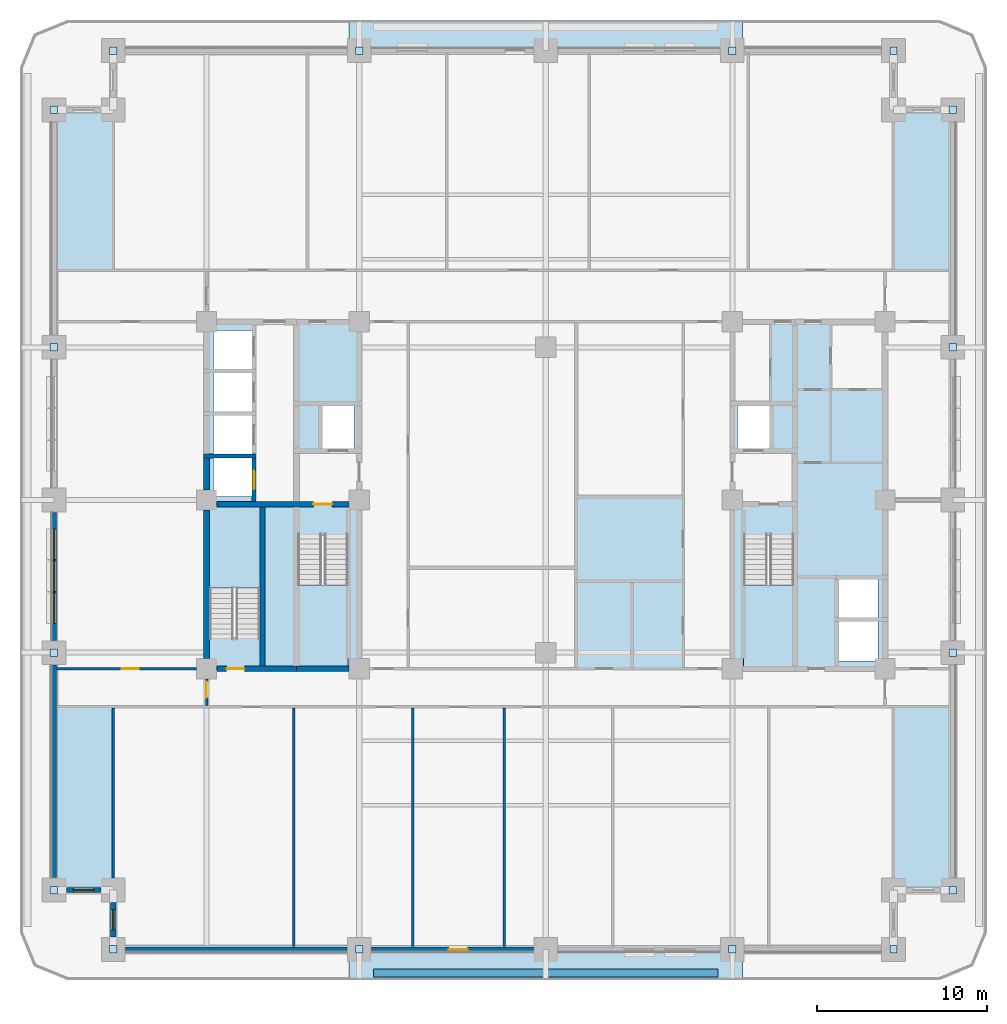
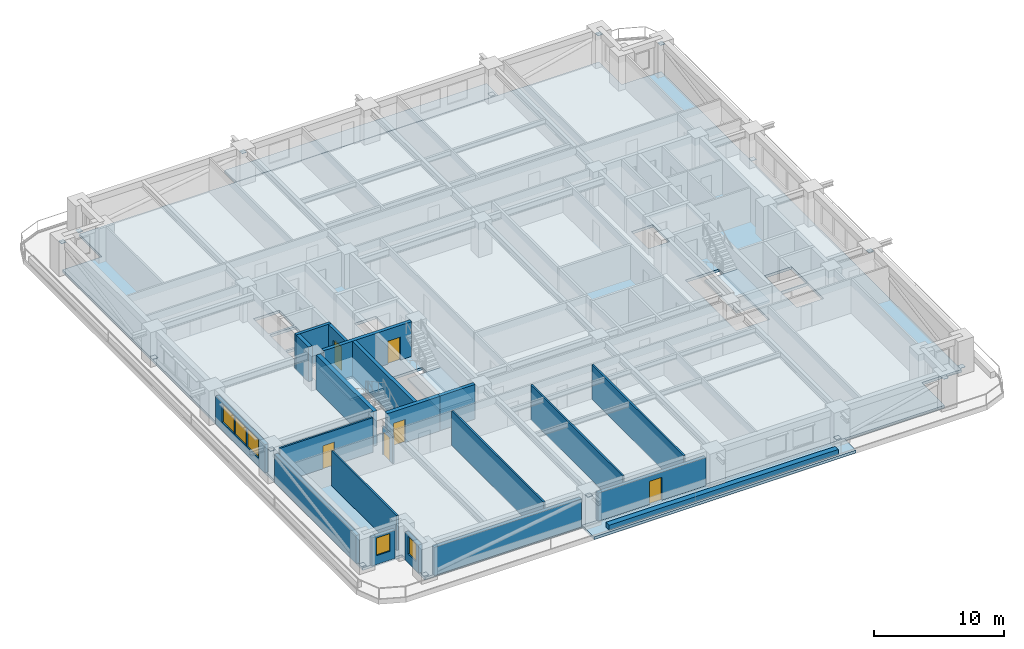
# One storey, part 2 of 16: 21 walls, 16 plates, 6 doors, 6 slabs, 5 windows, 11 openings, 3 elements without a shape of their own.
"""IFC4 building model written with IfcOpenShell, lengths in metres."""

from ifc_helpers import new_model, si_unit, direction, frame, frame_2d, origin, origin_2d, place, context, subcontext, project, spatial, polyline, rectangle, outline, extrude, material, layer, layer_set, type_object, element, fill, aggregate, save


model = new_model("IFC4")

# Units and contexts
model_context = context("Model", 3, precision=1e-05, world=origin(), true_north=direction((0.0, 1.0)))
body_context = subcontext(model_context, "Body", "Model", "MODEL_VIEW")
ifc_project = project(units=[si_unit("LENGTHUNIT", "METRE"), si_unit("AREAUNIT", "SQUARE_METRE"), si_unit("VOLUMEUNIT", "CUBIC_METRE"), si_unit("PLANEANGLEUNIT", "RADIAN"), si_unit("MASSUNIT", "GRAM", prefix="KILO")], contexts=[model_context])

# Site, building, storey
site_placement = place(None, origin())
site = spatial("IfcSite", under=ifc_project, at=site_placement, CompositionType="ELEMENT")
building_placement = place(site_placement, origin())
building = spatial("IfcBuilding", under=site, at=building_placement, Name="Zulmaris Gate Convention Tower", CompositionType="ELEMENT")
storey_placement = place(building_placement, frame((0.0, 0.0, 67.89990234375)))
storey = spatial("IfcBuildingStorey", under=building, at=storey_placement, Name="L16", CompositionType="ELEMENT", Elevation=67.89990234375)

# Plates
ifc_material_1 = material(Name="Steel S460", Category="steel")
ifc_layer_1 = layer(ifc_material_1, 0.02490234375, Name="Steel S460")
ifc_layer_set_1 = layer_set([ifc_layer_1], Name="Steel S460")
plate_type = type_object("IfcPlateType", Name="NP-CAP-440", PredefinedType="USERDEFINED", material=ifc_layer_set_1)
for number, where, z_axis, x_axis, name in (
    (1, (-29.0, -23.0, 0.28759765625), (0.0, 0.0, 1.0), (1.0, 0.0, 0.0), "L16 Steel Node Plate PBR-L16-SW-W-CAP"),
    (2, (-29.0, -9.0, 2.612548828125), (0.0, 0.0, 1.0), (1.0, 0.0, 0.0), "L16 Steel Node Plate PBR-L16-SW-W-CAPB"),
    (3, (-29.0, 9.0, 0.28759765625), (0.0, 0.0, 1.0), (1.0, 0.0, 0.0), "L16 Steel Node Plate PBR-L16-NW-W-CAP"),
    (4, (-29.0, 23.0, 2.612548828125), (0.0, 0.0, 1.0), (1.0, 0.0, 0.0), "L16 Steel Node Plate PBR-L16-NW-W-CAPB"),
    (5, (24.0, -23.0, 0.28759765625), (0.0, 0.0, 1.0), (1.0, 0.0, 0.0), "L16 Steel Node Plate PBR-L16-SE-E-CAP"),
    (6, (24.0, -9.0, 2.612548828125), (0.0, 0.0, 1.0), (1.0, 0.0, 0.0), "L16 Steel Node Plate PBR-L16-SE-E-CAPB"),
    (7, (24.0, 9.0, 0.28759765625), (0.0, 0.0, 1.0), (1.0, 0.0, 0.0), "L16 Steel Node Plate PBR-L16-NE-E-CAP"),
    (8, (24.0, 23.0, 2.612548828125), (0.0, 0.0, 1.0), (1.0, 0.0, 0.0), "L16 Steel Node Plate PBR-L16-NE-E-CAPB"),
    (9, (-25.5, -26.5, 0.28759765625), (0.0, 0.0, 1.0), (1.0, 0.0, 0.0), "L16 Steel Node Plate PBR-L16-SW-S-CAP"),
    (10, (-11.0, -26.5, 2.612548828125), (0.0, 0.0, 1.0), (1.0, 0.0, 0.0), "L16 Steel Node Plate PBR-L16-SW-S-CAPB"),
    (11, (11.0, -26.5, 0.28759765625), (0.0, 0.0, 1.0), (1.0, 0.0, 0.0), "L16 Steel Node Plate PBR-L16-SE-S-CAP"),
    (12, (20.5, -26.5, 2.612548828125), (0.0, 0.0, 1.0), (1.0, 0.0, 0.0), "L16 Steel Node Plate PBR-L16-SE-S-CAPB"),
    (13, (-25.5, 26.5, 0.28759765625), (0.0, 0.0, 1.0), (1.0, 0.0, 0.0), "L16 Steel Node Plate PBR-L16-NW-N-CAP"),
    (14, (-11.0, 26.5, 2.612548828125), (0.0, 0.0, 1.0), (1.0, 0.0, 0.0), "L16 Steel Node Plate PBR-L16-NW-N-CAPB"),
    (15, (11.0, 26.5, 0.28759765625), (0.0, 0.0, 1.0), (1.0, 0.0, 0.0), "L16 Steel Node Plate PBR-L16-NE-N-CAP"),
    (16, (20.5, 26.5, 2.612548828125), (0.0, 0.0, 1.0), (1.0, 0.0, 0.0), "L16 Steel Node Plate PBR-L16-NE-N-CAPB"),
):
    element("IfcPlate", number, at=place(storey_placement, frame(where, z_axis=z_axis, x_axis=x_axis)), inside=storey, type_object=plate_type, Name=name, ObjectType="FLANGE PLATE", PredefinedType="USERDEFINED", context=body_context, shape_type="SweptSolid", body=[
        extrude(rectangle(XDim=0.43994140625, YDim=0.43994140625, at=origin_2d()), origin(), (0.0, 0.0, 1.0), 0.02490234375),
    ])

# Slabs
ifc_material_2 = material(Name="Precast concrete C50/60", Category="concrete")
ifc_layer_2 = layer(ifc_material_2, 0.260009765625, Name="Precast concrete C50/60")
ifc_layer_set_2 = layer_set([ifc_layer_2], Name="Precast concrete C50/60")
slab_type_1 = type_object("IfcSlabType", Name="SL-BAL-260", PredefinedType="FLOOR", material=ifc_layer_set_2)
slab_1_placement = place(storey_placement, frame((0.0, 0.0, -0.25)))
element("IfcSlab", 17, at=slab_1_placement, inside=storey, type_object=slab_type_1, Name="L16 South Tree-Balcony Planter Slab", PredefinedType="FLOOR", context=body_context, shape_type="SweptSolid", body=[
    extrude(outline(polyline([(-11.597900390625, -28.300048828125), (-11.597900390625, -26.5), (11.597900390625, -26.5), (11.597900390625, -28.300048828125), (-11.597900390625, -28.300048828125)])), origin(), (0.0, 0.0, 1.0), 0.260009765625),
])
slab_2_placement = place(storey_placement, frame((0.0, 0.0, -0.25)))
element("IfcSlab", 18, at=slab_2_placement, inside=storey, type_object=slab_type_1, Name="L16 North Tree-Balcony Planter Slab", PredefinedType="FLOOR", context=body_context, shape_type="SweptSolid", body=[
    extrude(outline(polyline([(11.597900390625, 28.300048828125), (11.597900390625, 26.5), (-11.597900390625, 26.5), (-11.597900390625, 28.300048828125), (11.597900390625, 28.300048828125)])), origin(), (0.0, 0.0, 1.0), 0.260009765625),
])
ifc_material_3 = material(Name="Concrete C50/60", Category="concrete")
ifc_layer_3 = layer(ifc_material_3, 0.25, Name="Concrete C50/60")
ifc_layer_set_3 = layer_set([ifc_layer_3], Name="Concrete C50/60")
slab_type_2 = type_object("IfcSlabType", Name="SL-FLR-250", PredefinedType="FLOOR", material=ifc_layer_set_3)
slab_3_placement = place(storey_placement, frame((0.0, 0.0, -0.25)))
element("IfcSlab", 19, at=slab_3_placement, inside=storey, type_object=slab_type_2, Name="L16 Shifted Notched-Square Structural Floor Slab", PredefinedType="FLOOR", context=body_context, shape_type="SweptSolid", body=[
    extrude(outline(polyline([(-25.5, -26.5), (20.5, -26.5), (20.5, -23.0), (24.0, -23.0), (24.0, 23.0), (20.5, 23.0), (20.5, 26.5), (-25.5, 26.5), (-25.5, 23.0), (-29.0, 23.0), (-29.0, -23.0), (-25.5, -23.0), (-25.5, -26.5)]), holes=[polyline([(-14.6201171875, -2.080078125), (-14.6201171875, -9.85009765625), (-11.659912109375, -9.85009765625), (-11.659912109375, -2.080078125), (-14.6201171875, -2.080078125)]), polyline([(11.659912109375, -2.080078125), (11.659912109375, -9.85009765625), (14.6201171875, -9.85009765625), (14.6201171875, -2.080078125), (11.659912109375, -2.080078125)]), polyline([(-16.860107421875, -8.1201171875), (-16.860107421875, -0.35009765625), (-19.820068359375, -0.35009765625), (-19.820068359375, -8.1201171875), (-16.860107421875, -8.1201171875)]), polyline([(-13.199951171875, 3.0), (-11.300048828125, 3.0), (-11.300048828125, 5.60009765625), (-13.199951171875, 5.60009765625), (-13.199951171875, 3.0)]), polyline([(11.300048828125, 3.0), (13.199951171875, 3.0), (13.199951171875, 5.60009765625), (11.300048828125, 5.60009765625), (11.300048828125, 3.0)]), polyline([(-19.60009765625, 0.199951171875), (-17.300048828125, 0.199951171875), (-17.300048828125, 2.5), (-19.60009765625, 2.5), (-19.60009765625, 0.199951171875)]), polyline([(-19.60009765625, 2.699951171875), (-17.300048828125, 2.699951171875), (-17.300048828125, 5.0), (-19.60009765625, 5.0), (-19.60009765625, 2.699951171875)]), polyline([(-19.60009765625, 5.199951171875), (-17.300048828125, 5.199951171875), (-17.300048828125, 7.5), (-19.60009765625, 7.5), (-19.60009765625, 5.199951171875)]), polyline([(-19.60009765625, 7.699951171875), (-17.300048828125, 7.699951171875), (-17.300048828125, 10.0), (-19.60009765625, 10.0), (-19.60009765625, 7.699951171875)]), polyline([(17.199951171875, -9.5), (19.60009765625, -9.5), (19.60009765625, -7.10009765625), (17.199951171875, -7.10009765625), (17.199951171875, -9.5)]), polyline([(17.199951171875, -7.0), (19.60009765625, -7.0), (19.60009765625, -4.60009765625), (17.199951171875, -4.60009765625), (17.199951171875, -7.0)])]), origin(), (0.0, 0.0, 1.0), 0.25),
])

# Stair, slab
ifc_material_4 = material(Name="Concrete C45/55", Category="concrete")
stair_type = type_object("IfcStairType", Name="ST-CORE-DOGLEG", PredefinedType="HALF_TURN_STAIR", material=ifc_material_4)
stair_1_placement = place(storey_placement, origin())
stair_1 = element("IfcStair", 20, at=stair_1_placement, inside=storey, type_object=stair_type, Name="L16 Core Exit Stair ST-1", PredefinedType="HALF_TURN_STAIR")
ifc_layer_4 = layer(ifc_material_4, 0.199951171875, Name="Concrete C45/55")
ifc_layer_set_4 = layer_set([ifc_layer_4], Name="Concrete C45/55")
slab_type_3 = type_object("IfcSlabType", Name="SL-LND-200", PredefinedType="LANDING", material=ifc_layer_set_4)
slab_4_placement = place(storey_placement, frame((0.0, 0.0, 1.5849609375)))
slab_4 = element("IfcSlab", 21, at=slab_4_placement, type_object=slab_type_3, Name="ST-1 landing 1", PredefinedType="LANDING", context=body_context, shape_type="SweptSolid", body=[
    extrude(outline(polyline([(-14.6201171875, -5.0), (-14.6201171875, -9.85009765625), (-11.659912109375, -9.85009765625), (-11.659912109375, -5.0), (-14.6201171875, -5.0)])), origin(), (0.0, 0.0, 1.0), 0.2001953125),
])
aggregate(stair_1, [slab_4])

stair_2_placement = place(storey_placement, origin())
stair_2 = element("IfcStair", 22, at=stair_2_placement, inside=storey, type_object=stair_type, Name="L16 Core Exit Stair ST-2", PredefinedType="HALF_TURN_STAIR")
slab_5_placement = place(storey_placement, frame((0.0, 0.0, 1.5849609375)))
slab_5 = element("IfcSlab", 23, at=slab_5_placement, type_object=slab_type_3, Name="ST-2 landing 1", PredefinedType="LANDING", context=body_context, shape_type="SweptSolid", body=[
    extrude(outline(polyline([(11.659912109375, -5.0), (11.659912109375, -9.85009765625), (14.6201171875, -9.85009765625), (14.6201171875, -5.0), (11.659912109375, -5.0)])), origin(), (0.0, 0.0, 1.0), 0.2001953125),
])
aggregate(stair_2, [slab_5])

stair_3_placement = place(storey_placement, origin())
stair_3 = element("IfcStair", 24, at=stair_3_placement, inside=storey, type_object=stair_type, Name="L16 Core Exit Stair ST-3", PredefinedType="HALF_TURN_STAIR")
slab_6_placement = place(storey_placement, frame((0.0, 0.0, 1.5849609375)))
slab_6 = element("IfcSlab", 25, at=slab_6_placement, type_object=slab_type_3, Name="ST-3 landing 1", PredefinedType="LANDING", context=body_context, shape_type="SweptSolid", body=[
    extrude(outline(polyline([(-16.860107421875, -5.199951171875), (-16.860107421875, -0.35009765625), (-19.820068359375, -0.35009765625), (-19.820068359375, -5.199951171875), (-16.860107421875, -5.199951171875)])), origin(), (0.0, 0.0, 1.0), 0.2001953125),
])
aggregate(stair_3, [slab_6])

# Wall
ifc_layer_5 = layer(ifc_material_3, 0.25, Name="Concrete C50/60")
ifc_layer_set_5 = layer_set([ifc_layer_5], Name="Concrete C50/60")
wall_type_1 = type_object("IfcWallType", Name="CORE-250", PredefinedType="SOLIDWALL", material=ifc_layer_set_5)
wall_1_placement = place(storey_placement, frame((-20.175048828125, 2.60009765625, 0.0), z_axis=(0.0, 0.0, 1.0), x_axis=(1.0, 0.0, 0.0)))
element("IfcWall", 26, at=wall_1_placement, inside=storey, type_object=wall_type_1, Name="WL-L16-009", PredefinedType="SOLIDWALL", context=body_context, shape_type="SweptSolid", body=[
    extrude(rectangle(XDim=3.10009765625, YDim=0.25, at=frame_2d((1.550048828125, 0.0))), origin(), (0.0, 0.0, 1.0), 3.2451171875),
])

# Wall, opening, door
wall_2_placement = place(storey_placement, frame((-17.199951171875, -0.097900390625, 0.0), z_axis=(0.0, 0.0, 1.0), x_axis=(0.0, 1.0, 0.0)))
wall_2 = element("IfcWall", 27, at=wall_2_placement, inside=storey, type_object=wall_type_1, Name="WL-L16-040", PredefinedType="SOLIDWALL", context=body_context, shape_type="SweptSolid", body=[
    extrude(rectangle(XDim=2.57080078125, YDim=0.25, at=frame_2d((1.285400390625, 0.0))), origin(), (0.0, 0.0, 1.0), 3.2451171875),
])
opening_1_placement = place(wall_2_placement, frame((0.722900390625, 0.0, 0.0)))
opening_1 = element("IfcOpeningElement", 28, at=opening_1_placement, cuts=wall_2, Name="Opening D-06", PredefinedType="OPENING", context=body_context, shape_type="SweptSolid", body=[
    extrude(rectangle(XDim=1.10009765625, YDim=2.199951171875, at=frame_2d((0.550048828125, 1.10009765625))), frame((0.0, 0.135009765625, 0.0), z_axis=(0.0, -1.0, 0.0), x_axis=(1.0, 0.0, 0.0)), (0.0, 0.0, 1.0), 0.27001953125),
])
ifc_material_5 = material(Name="Brushed Stainless Steel", Category="steel")
door_type_1 = type_object("IfcDoorType", Name="LD-1100", OperationType="NOTDEFINED", PredefinedType="DOOR", material=ifc_material_5)
door_1_placement = place(opening_1_placement, origin())
door_1 = element("IfcDoor", 29, at=door_1_placement, inside=storey, type_object=door_type_1, Name="L16 Lift Landing Door LP-01 12", OperationType="SLIDING_TO_LEFT", OverallHeight=2.199951171875, OverallWidth=1.10009765625, PredefinedType="DOOR", context=body_context, shape_type="SweptSolid", body=[
    extrude(rectangle(XDim=1.10009765625, YDim=2.199951171875, at=frame_2d((0.550048828125, 1.10009765625))), frame((0.0, 0.02490234375, 0.0), z_axis=(0.0, -1.0, 0.0), x_axis=(1.0, 0.0, 0.0)), (0.0, 0.0, 1.0), 0.050048828125),
])
fill(opening_1, door_1)

# Wall
ifc_layer_6 = layer(ifc_material_3, 0.300048828125, Name="Concrete C50/60")
ifc_layer_set_6 = layer_set([ifc_layer_6], Name="Concrete C50/60")
wall_type_2 = type_object("IfcWallType", Name="CORE-300", PredefinedType="SHEAR", material=ifc_layer_set_6)
wall_3_placement = place(storey_placement, frame((-14.699951171875, -9.949951171875, 0.0), z_axis=(0.0, 0.0, 1.0), x_axis=(1.0, 0.0, 0.0)))
element("IfcWall", 30, at=wall_3_placement, inside=storey, type_object=wall_type_2, Name="WL-L16-002", PredefinedType="SHEAR", context=body_context, shape_type="SweptSolid", body=[
    extrude(rectangle(XDim=3.095947265625, YDim=0.300048828125, at=frame_2d((1.5478515625, 0.0))), origin(), (0.0, 0.0, 1.0), 3.2451171875),
])

# Wall, opening, door
wall_4_placement = place(storey_placement, frame((-19.39599609375, -0.25, 0.0), z_axis=(0.0, 0.0, 1.0), x_axis=(1.0, 0.0, 0.0)))
wall_4 = element("IfcWall", 31, at=wall_4_placement, inside=storey, type_object=wall_type_2, Name="WL-L16-007", PredefinedType="SHEAR", context=body_context, shape_type="SweptSolid", body=[
    extrude(rectangle(XDim=7.7919921875, YDim=0.300048828125, at=frame_2d((3.89599609375, 0.0))), origin(), (0.0, 0.0, 1.0), 3.2451171875),
])
opening_2_placement = place(wall_4_placement, frame((5.696044921875, 0.0, 0.0)))
opening_2 = element("IfcOpeningElement", 32, at=opening_2_placement, cuts=wall_4, Name="Opening D-08", PredefinedType="OPENING", context=body_context, shape_type="SweptSolid", body=[
    extrude(rectangle(XDim=1.10009765625, YDim=2.14990234375, at=frame_2d((0.550048828125, 1.074951171875))), frame((0.0, 0.16015625, 0.0), z_axis=(0.0, -1.0, 0.0), x_axis=(1.0, 0.0, 0.0)), (0.0, 0.0, 1.0), 0.320068359375),
])
ifc_material_6 = material(Name="Fire-Rated Steel", Category="steel")
door_type_2 = type_object("IfcDoorType", Name="DR-1100-FD", OperationType="NOTDEFINED", PredefinedType="DOOR", material=ifc_material_6)
door_2_placement = place(opening_2_placement, origin())
door_2 = element("IfcDoor", 33, at=door_2_placement, inside=storey, type_object=door_type_2, Name="L16 Exit Stair ST-1 Door 01", OperationType="SINGLE_SWING_RIGHT", OverallHeight=2.14990234375, OverallWidth=1.10009765625, PredefinedType="DOOR", context=body_context, shape_type="SweptSolid", body=[
    extrude(rectangle(XDim=1.10009765625, YDim=2.14990234375, at=frame_2d((0.550048828125, 1.074951171875))), frame((0.0, 0.02490234375, 0.0), z_axis=(0.0, -1.0, 0.0), x_axis=(1.0, 0.0, 0.0)), (0.0, 0.0, 1.0), 0.050048828125),
])
fill(opening_2, door_2)

# Wall
wall_5_placement = place(storey_placement, frame((-16.699951171875, -9.77294921875, 0.0), z_axis=(0.0, 0.0, 1.0), x_axis=(0.0, 1.0, 0.0)))
element("IfcWall", 34, at=wall_5_placement, inside=storey, type_object=wall_type_2, Name="WL-L16-044", PredefinedType="SHEAR", context=body_context, shape_type="SweptSolid", body=[
    extrude(rectangle(XDim=9.370849609375, YDim=0.300048828125, at=frame_2d((4.685546875, 0.0))), origin(), (0.0, 0.0, 1.0), 3.2451171875),
])

# Wall, opening, door
ifc_material_7 = material(Name="Concrete C55/67", Category="concrete")
ifc_layer_7 = layer(ifc_material_7, 0.35009765625, Name="Concrete C55/67")
ifc_layer_set_7 = layer_set([ifc_layer_7], Name="Concrete C55/67")
wall_type_3 = type_object("IfcWallType", Name="CORE-350", PredefinedType="SHEAR", material=ifc_layer_set_7)
wall_6_placement = place(storey_placement, frame((-19.39599609375, -9.949951171875, 0.0), z_axis=(0.0, 0.0, 1.0), x_axis=(1.0, 0.0, 0.0)))
wall_6 = element("IfcWall", 35, at=wall_6_placement, inside=storey, type_object=wall_type_3, Name="WL-L16-001", PredefinedType="SHEAR", context=body_context, shape_type="SweptSolid", body=[
    extrude(rectangle(XDim=4.696044921875, YDim=0.35009765625, at=frame_2d((2.34814453125, 0.0))), origin(), (0.0, 0.0, 1.0), 3.2451171875),
])
opening_3_placement = place(wall_6_placement, frame((0.571044921875, 0.0, 0.0)))
opening_3 = element("IfcOpeningElement", 36, at=opening_3_placement, cuts=wall_6, Name="Opening D-09", PredefinedType="OPENING", context=body_context, shape_type="SweptSolid", body=[
    extrude(rectangle(XDim=1.050048828125, YDim=2.14990234375, at=frame_2d((0.52490234375, 1.074951171875))), frame((0.0, 0.18505859375, 0.0), z_axis=(0.0, -1.0, 0.0), x_axis=(1.0, 0.0, 0.0)), (0.0, 0.0, 1.0), 0.3701171875),
])
door_type_3 = type_object("IfcDoorType", Name="DR-1050-FD", OperationType="NOTDEFINED", PredefinedType="DOOR", material=ifc_material_6)
door_3_placement = place(opening_3_placement, origin())
door_3 = element("IfcDoor", 37, at=door_3_placement, inside=storey, type_object=door_type_3, Name="L16 Exit Stair ST-3 Door 10", OperationType="SINGLE_SWING_LEFT", OverallHeight=2.14990234375, OverallWidth=1.050048828125, PredefinedType="DOOR", context=body_context, shape_type="SweptSolid", body=[
    extrude(rectangle(XDim=1.050048828125, YDim=2.14990234375, at=frame_2d((0.52490234375, 1.074951171875))), frame((0.0, 0.02490234375, 0.0), z_axis=(0.0, -1.0, 0.0), x_axis=(1.0, 0.0, 0.0)), (0.0, 0.0, 1.0), 0.050048828125),
])
fill(opening_3, door_3)

# Walls
wall_7_placement = place(storey_placement, frame((-20.0, -9.345947265625, 0.0), z_axis=(0.0, 0.0, 1.0), x_axis=(0.0, 1.0, 0.0)))
element("IfcWall", 38, at=wall_7_placement, inside=storey, type_object=wall_type_3, Name="WL-L16-035", PredefinedType="SHEAR", context=body_context, shape_type="SweptSolid", body=[
    extrude(rectangle(XDim=8.741943359375, YDim=0.35009765625, at=frame_2d((4.37109375, 0.0))), origin(), (0.0, 0.0, 1.0), 3.2451171875),
])
wall_8_placement = place(storey_placement, frame((-20.0, 0.60400390625, 0.0), z_axis=(0.0, 0.0, 1.0), x_axis=(0.0, 1.0, 0.0)))
element("IfcWall", 39, at=wall_8_placement, inside=storey, type_object=wall_type_3, Name="WL-L16-036", PredefinedType="SHEAR", context=body_context, shape_type="SweptSolid", body=[
    extrude(rectangle(XDim=1.868896484375, YDim=0.35009765625, at=frame_2d((0.9345703125, 0.0))), origin(), (0.0, 0.0, 1.0), 3.2451171875),
])

# Wall, opening, door
ifc_material_8 = material(Name="Gypsum Metal Stud Partition")
ifc_layer_8 = layer(ifc_material_8, 0.14990234375, Name="Gypsum Metal Stud Partition")
ifc_layer_set_8 = layer_set([ifc_layer_8], Name="Gypsum Metal Stud Partition")
wall_type_4 = type_object("IfcWallType", Name="PART-150", PredefinedType="PARTITIONING", material=ifc_layer_set_8)
wall_9_placement = place(storey_placement, frame((-28.8349609375, -9.949951171875, 0.0), z_axis=(0.0, 0.0, 1.0), x_axis=(1.0, 0.0, 0.0)))
wall_9 = element("IfcWall", 40, at=wall_9_placement, inside=storey, type_object=wall_type_4, Name="WL-L16-021", PredefinedType="PARTITIONING", context=body_context, shape_type="SweptSolid", body=[
    extrude(rectangle(XDim=8.22900390625, YDim=0.14990234375, at=frame_2d((4.114501953125, 0.0))), origin(), (0.0, 0.0, 1.0), 3.2451171875),
])
opening_4_placement = place(wall_9_placement, frame((3.8349609375, 0.0, 0.0)))
opening_4 = element("IfcOpeningElement", 41, at=opening_4_placement, cuts=wall_9, Name="Opening D-10", PredefinedType="OPENING", context=body_context, shape_type="SweptSolid", body=[
    extrude(rectangle(XDim=1.0, YDim=2.14990234375, at=frame_2d((0.5, 1.074951171875))), frame((0.0, 0.0849609375, 0.0), z_axis=(0.0, -1.0, 0.0), x_axis=(1.0, 0.0, 0.0)), (0.0, 0.0, 1.0), 0.169921875),
])
ifc_material_9 = material(Name="Fire-Rated Timber", Category="wood")
door_type_4 = type_object("IfcDoorType", Name="DR-1000-FD", OperationType="NOTDEFINED", PredefinedType="DOOR", material=ifc_material_9)
door_4_placement = place(opening_4_placement, origin())
door_4 = element("IfcDoor", 42, at=door_4_placement, inside=storey, type_object=door_type_4, Name="L16 West Workplace South Door 46", OperationType="SINGLE_SWING_LEFT", OverallHeight=2.14990234375, OverallWidth=1.0, PredefinedType="DOOR", context=body_context, shape_type="SweptSolid", body=[
    extrude(rectangle(XDim=1.0, YDim=2.14990234375, at=frame_2d((0.5, 1.074951171875))), frame((0.0, 0.02490234375, 0.0), z_axis=(0.0, -1.0, 0.0), x_axis=(1.0, 0.0, 0.0)), (0.0, 0.0, 1.0), 0.050048828125),
])
fill(opening_4, door_4)

# Wall
wall_10_placement = place(storey_placement, frame((-25.5, -22.2939453125, 0.0), z_axis=(0.0, 0.0, 1.0), x_axis=(0.0, 1.0, 0.0)))
element("IfcWall", 43, at=wall_10_placement, inside=storey, type_object=wall_type_4, Name="WL-L16-070", PredefinedType="PARTITIONING", context=body_context, shape_type="SweptSolid", body=[
    extrude(rectangle(XDim=10.015869140625, YDim=0.14990234375, at=frame_2d((5.0078125, 0.0))), origin(), (0.0, 0.0, 1.0), 3.2451171875),
])

# Wall, opening, door
wall_11_placement = place(storey_placement, frame((-20.0, -12.1220703125, 0.0), z_axis=(0.0, 0.0, 1.0), x_axis=(0.0, 1.0, 0.0)))
wall_11 = element("IfcWall", 44, at=wall_11_placement, inside=storey, type_object=wall_type_4, Name="WL-L16-072", PredefinedType="PARTITIONING", context=body_context, shape_type="SweptSolid", body=[
    extrude(rectangle(XDim=1.566162109375, YDim=0.14990234375, at=frame_2d((0.783203125, 0.0))), origin(), (0.0, 0.0, 1.0), 2.585205078125),
])
opening_5_placement = place(wall_11_placement, frame((0.466064453125, 0.0, 0.0)))
opening_5 = element("IfcOpeningElement", 45, at=opening_5_placement, cuts=wall_11, Name="Opening D-11", PredefinedType="OPENING", context=body_context, shape_type="SweptSolid", body=[
    extrude(rectangle(XDim=0.949951171875, YDim=2.14990234375, at=frame_2d((0.47509765625, 1.074951171875))), frame((0.0, 0.0849609375, 0.0), z_axis=(0.0, -1.0, 0.0), x_axis=(1.0, 0.0, 0.0)), (0.0, 0.0, 1.0), 0.169921875),
])
door_type_5 = type_object("IfcDoorType", Name="DR-950-FD", OperationType="NOTDEFINED", PredefinedType="DOOR", material=ifc_material_9)
door_5_placement = place(opening_5_placement, origin())
door_5 = element("IfcDoor", 46, at=door_5_placement, inside=storey, type_object=door_type_5, Name="L16 SW Spur Door 44", OperationType="SINGLE_SWING_LEFT", OverallHeight=2.14990234375, OverallWidth=0.949951171875, PredefinedType="DOOR", context=body_context, shape_type="SweptSolid", body=[
    extrude(rectangle(XDim=0.949951171875, YDim=2.14990234375, at=frame_2d((0.47509765625, 1.074951171875))), frame((0.0, 0.02490234375, 0.0), z_axis=(0.0, -1.0, 0.0), x_axis=(1.0, 0.0, 0.0)), (0.0, 0.0, 1.0), 0.050048828125),
])
fill(opening_5, door_5)

# Walls
for number, where, z_axis, x_axis, name in (
    (47, (-14.85009765625, -26.3349609375, 0.0), (0.0, 0.0, 1.0), (0.0, 1.0, 0.0), "WL-L16-074"),
    (48, (-7.85009765625, -26.3349609375, 0.0), (0.0, 0.0, 1.0), (0.0, 1.0, 0.0), "WL-L16-078"),
    (49, (-2.449951171875, -26.3349609375, 0.0), (0.0, 0.0, 1.0), (0.0, 1.0, 0.0), "WL-L16-080"),
):
    element("IfcWall", number, at=place(storey_placement, frame(where, z_axis=z_axis, x_axis=x_axis)), inside=storey, type_object=wall_type_4, Name=name, PredefinedType="PARTITIONING", context=body_context, shape_type="SweptSolid", body=[
        extrude(rectangle(XDim=14.056884765625, YDim=0.14990234375, at=frame_2d((7.0283203125, 0.0))), origin(), (0.0, 0.0, 1.0), 3.2451171875),
    ])
ifc_material_10 = material(Name="Botanical Green Glazed Precast Concrete C40/50", Category="concrete")
ifc_layer_9 = layer(ifc_material_10, 0.419921875, Name="Botanical Green Glazed Precast Concrete C40/50")
ifc_layer_set_9 = layer_set([ifc_layer_9], Name="Botanical Green Glazed Precast Concrete C40/50")
wall_type_5 = type_object("IfcWallType", Name="PLANTER-CURB-200", PredefinedType="PARAPET", material=ifc_layer_set_9)
wall_12_placement = place(storey_placement, frame((-10.14990234375, -27.8798828125, -0.0400390625), z_axis=(0.0, 0.0, 1.0), x_axis=(1.0, 0.0, 0.0)))
element("IfcWall", 50, at=wall_12_placement, inside=storey, type_object=wall_type_5, Name="L16 Full-Length Balcony Tree Planter Trough", PredefinedType="PARAPET", context=body_context, shape_type="SweptSolid", body=[
    extrude(rectangle(XDim=20.2998046875, YDim=0.47998046875, at=frame_2d((10.14990234375, 0.0))), origin(), (0.0, 0.0, 1.0), 0.52001953125),
])

# Wall, opening, window
ifc_material_11 = material(Name="Precast concrete C40/50", Category="concrete")
ifc_layer_10 = layer(ifc_material_11, 0.300048828125, Name="Precast concrete C40/50")
ifc_layer_set_10 = layer_set([ifc_layer_10], Name="Precast concrete C40/50")
wall_type_6 = type_object("IfcWallType", Name="PRECAST-PIER-300", PredefinedType="STANDARD", material=ifc_layer_set_10)
wall_13_placement = place(storey_placement, frame((-28.27001953125, -23.0, 0.0), z_axis=(0.0, 0.0, 1.0), x_axis=(1.0, 0.0, 0.0)))
wall_13 = element("IfcWall", 51, at=wall_13_placement, inside=storey, type_object=wall_type_6, Name="EW-L16-NOTCH-SW1_0", PredefinedType="STANDARD", context=body_context, shape_type="SweptSolid", body=[
    extrude(rectangle(XDim=2.0400390625, YDim=0.300048828125, at=frame_2d((1.02001953125, 0.0))), origin(), (0.0, 0.0, 1.0), 2.63720703125),
])
opening_6_placement = place(wall_13_placement, frame((0.419921875, 0.0, 0.820068359375)))
opening_6 = element("IfcOpeningElement", 52, at=opening_6_placement, cuts=wall_13, Name="Opening W-04", PredefinedType="OPENING", context=body_context, shape_type="SweptSolid", body=[
    extrude(rectangle(XDim=1.199951171875, YDim=1.64990234375, at=frame_2d((0.60009765625, 0.824951171875))), frame((0.0, 0.16015625, 0.0), z_axis=(0.0, -1.0, 0.0), x_axis=(1.0, 0.0, 0.0)), (0.0, 0.0, 1.0), 0.320068359375),
])
ifc_material_12 = material(Name="Low-E Laminated Double Glazing in Aluminium Frame", Category="aluminium")
window_type_1 = type_object("IfcWindowType", Name="WIN-1200x2100", PartitioningType="SINGLE_PANEL", PredefinedType="WINDOW", material=ifc_material_12)
window_1_placement = place(opening_6_placement, origin())
window_1 = element("IfcWindow", 53, at=window_1_placement, inside=storey, type_object=window_type_1, Name="WN-EW-L16-NOTCH-SW1_0", OverallHeight=1.64990234375, OverallWidth=1.199951171875, PartitioningType="SINGLE_PANEL", PredefinedType="WINDOW", context=body_context, shape_type="SweptSolid", body=[
    extrude(rectangle(XDim=1.199951171875, YDim=1.64990234375, at=frame_2d((0.60009765625, 0.824951171875))), frame((0.0, 0.030029296875, 0.0), z_axis=(0.0, -1.0, 0.0), x_axis=(1.0, 0.0, 0.0)), (0.0, 0.0, 1.0), 0.06005859375),
])
fill(opening_6, window_1)

wall_14_placement = place(storey_placement, frame((-25.5, -23.72998046875, 0.0), z_axis=(0.0, 0.0, 1.0), x_axis=(0.0, -1.0, 0.0)))
wall_14 = element("IfcWall", 54, at=wall_14_placement, inside=storey, type_object=wall_type_6, Name="EW-L16-NOTCH-SW2_0", PredefinedType="STANDARD", context=body_context, shape_type="SweptSolid", body=[
    extrude(rectangle(XDim=2.0400390625, YDim=0.300048828125, at=frame_2d((1.02001953125, 0.0))), origin(), (0.0, 0.0, 1.0), 2.63720703125),
])
opening_7_placement = place(wall_14_placement, frame((0.419921875, 0.0, 0.820068359375)))
opening_7 = element("IfcOpeningElement", 55, at=opening_7_placement, cuts=wall_14, Name="Opening W-04", PredefinedType="OPENING", context=body_context, shape_type="SweptSolid", body=[
    extrude(rectangle(XDim=1.199951171875, YDim=1.64990234375, at=frame_2d((0.60009765625, 0.824951171875))), frame((0.0, 0.16015625, 0.0), z_axis=(0.0, -1.0, 0.0), x_axis=(1.0, 0.0, 0.0)), (0.0, 0.0, 1.0), 0.320068359375),
])
window_2_placement = place(opening_7_placement, origin())
window_2 = element("IfcWindow", 56, at=window_2_placement, inside=storey, type_object=window_type_1, Name="WN-EW-L16-NOTCH-SW2_0", OverallHeight=1.64990234375, OverallWidth=1.199951171875, PartitioningType="SINGLE_PANEL", PredefinedType="WINDOW", context=body_context, shape_type="SweptSolid", body=[
    extrude(rectangle(XDim=1.199951171875, YDim=1.64990234375, at=frame_2d((0.60009765625, 0.824951171875))), frame((0.0, 0.030029296875, 0.0), z_axis=(0.0, -1.0, 0.0), x_axis=(1.0, 0.0, 0.0)), (0.0, 0.0, 1.0), 0.06005859375),
])
fill(opening_7, window_2)

# Wall
wall_15_placement = place(storey_placement, frame((-24.77001953125, -26.5, 0.0), z_axis=(0.0, 0.0, 1.0), x_axis=(1.0, 0.0, 0.0)))
element("IfcWall", 57, at=wall_15_placement, inside=storey, type_object=wall_type_6, Name="EW-L16-S-0_0", PredefinedType="STANDARD", context=body_context, shape_type="SweptSolid", body=[
    extrude(rectangle(XDim=13.0400390625, YDim=0.300048828125, at=frame_2d((6.52001953125, 0.0))), origin(), (0.0, 0.0, 1.0), 2.63720703125),
])

# Wall, opening, door
wall_16_placement = place(storey_placement, frame((-10.27001953125, -26.5, 0.0), z_axis=(0.0, 0.0, 1.0), x_axis=(1.0, 0.0, 0.0)))
wall_16 = element("IfcWall", 58, at=wall_16_placement, inside=storey, type_object=wall_type_6, Name="EW-L16-S-1_0", PredefinedType="STANDARD", context=body_context, shape_type="SweptSolid", body=[
    extrude(rectangle(XDim=9.5400390625, YDim=0.300048828125, at=frame_2d((4.77001953125, 0.0))), origin(), (0.0, 0.0, 1.0), 2.63720703125),
])
opening_8_placement = place(wall_16_placement, frame((4.554931640625, 0.0, 0.0)))
opening_8 = element("IfcOpeningElement", 59, at=opening_8_placement, cuts=wall_16, Name="Opening D-04", PredefinedType="OPENING", context=body_context, shape_type="SweptSolid", body=[
    extrude(rectangle(XDim=1.10009765625, YDim=2.14990234375, at=frame_2d((0.550048828125, 1.074951171875))), frame((0.0, 0.16015625, 0.0), z_axis=(0.0, -1.0, 0.0), x_axis=(1.0, 0.0, 0.0)), (0.0, 0.0, 1.0), 0.320068359375),
])
ifc_material_13 = material(Name="Anodised Aluminium and Laminated Glass", Category="aluminium")
door_type_6 = type_object("IfcDoorType", Name="ED-1100", OperationType="SINGLE_SWING_RIGHT", PredefinedType="DOOR", material=ifc_material_13)
door_6_placement = place(opening_8_placement, origin())
door_6 = element("IfcDoor", 60, at=door_6_placement, inside=storey, type_object=door_type_6, Name="L16 S Planted Terrace Door", OperationType="SINGLE_SWING_RIGHT", OverallHeight=2.14990234375, OverallWidth=1.10009765625, PredefinedType="DOOR", context=body_context, shape_type="SweptSolid", body=[
    extrude(rectangle(XDim=1.10009765625, YDim=2.14990234375, at=frame_2d((0.550048828125, 1.074951171875))), frame((0.0, 0.02490234375, 0.0), z_axis=(0.0, -1.0, 0.0), x_axis=(1.0, 0.0, 0.0)), (0.0, 0.0, 1.0), 0.050048828125),
])
fill(opening_8, door_6)

# Wall
wall_17_placement = place(storey_placement, frame((-29.0, -9.72998046875, 0.0), z_axis=(0.0, 0.0, 1.0), x_axis=(0.0, -1.0, 0.0)))
element("IfcWall", 61, at=wall_17_placement, inside=storey, type_object=wall_type_6, Name="EW-L16-W-0_0", PredefinedType="STANDARD", context=body_context, shape_type="SweptSolid", body=[
    extrude(rectangle(XDim=12.5400390625, YDim=0.300048828125, at=frame_2d((6.27001953125, 0.0))), origin(), (0.0, 0.0, 1.0), 2.63720703125),
])

# Wall, openings, windows
wall_18_placement = place(storey_placement, frame((-29.0, -0.72998046875, 0.0), z_axis=(0.0, 0.0, 1.0), x_axis=(0.0, -1.0, 0.0)))
wall_18 = element("IfcWall", 62, at=wall_18_placement, inside=storey, type_object=wall_type_6, Name="EW-L16-W-1_0", PredefinedType="STANDARD", context=body_context, shape_type="SweptSolid", body=[
    extrude(rectangle(XDim=7.5400390625, YDim=0.300048828125, at=frame_2d((3.77001953125, 0.0))), origin(), (0.0, 0.0, 1.0), 2.63720703125),
])
opening_9_placement = place(wall_18_placement, frame((0.985107421875, 0.0, 0.780029296875)))
opening_9 = element("IfcOpeningElement", 63, at=opening_9_placement, cuts=wall_18, Name="Opening W-02", PredefinedType="OPENING", context=body_context, shape_type="SweptSolid", body=[
    extrude(rectangle(XDim=1.800048828125, YDim=1.719970703125, at=frame_2d((0.89990234375, 0.85986328125))), frame((0.0, 0.16015625, 0.0), z_axis=(0.0, -1.0, 0.0), x_axis=(1.0, 0.0, 0.0)), (0.0, 0.0, 1.0), 0.320068359375),
])
opening_10_placement = place(wall_18_placement, frame((2.8701171875, 0.0, 0.780029296875)))
opening_10 = element("IfcOpeningElement", 64, at=opening_10_placement, cuts=wall_18, Name="Opening W-02", PredefinedType="OPENING", context=body_context, shape_type="SweptSolid", body=[
    extrude(rectangle(XDim=1.800048828125, YDim=1.719970703125, at=frame_2d((0.89990234375, 0.85986328125))), frame((0.0, 0.16015625, 0.0), z_axis=(0.0, -1.0, 0.0), x_axis=(1.0, 0.0, 0.0)), (0.0, 0.0, 1.0), 0.320068359375),
])
opening_11_placement = place(wall_18_placement, frame((4.7548828125, 0.0, 0.780029296875)))
opening_11 = element("IfcOpeningElement", 65, at=opening_11_placement, cuts=wall_18, Name="Opening W-02", PredefinedType="OPENING", context=body_context, shape_type="SweptSolid", body=[
    extrude(rectangle(XDim=1.800048828125, YDim=1.719970703125, at=frame_2d((0.89990234375, 0.85986328125))), frame((0.0, 0.16015625, 0.0), z_axis=(0.0, -1.0, 0.0), x_axis=(1.0, 0.0, 0.0)), (0.0, 0.0, 1.0), 0.320068359375),
])
window_type_2 = type_object("IfcWindowType", Name="WIN-1800x2200", PartitioningType="SINGLE_PANEL", PredefinedType="WINDOW", material=ifc_material_12)
window_3_placement = place(opening_9_placement, origin())
window_3 = element("IfcWindow", 66, at=window_3_placement, inside=storey, type_object=window_type_2, Name="WN-EW-L16-W-1_0-1", OverallHeight=1.719970703125, OverallWidth=1.800048828125, PartitioningType="SINGLE_PANEL", PredefinedType="WINDOW", context=body_context, shape_type="SweptSolid", body=[
    extrude(rectangle(XDim=1.800048828125, YDim=1.719970703125, at=frame_2d((0.89990234375, 0.85986328125))), frame((0.0, 0.030029296875, 0.0), z_axis=(0.0, -1.0, 0.0), x_axis=(1.0, 0.0, 0.0)), (0.0, 0.0, 1.0), 0.06005859375),
])
fill(opening_9, window_3)
window_4_placement = place(opening_10_placement, origin())
window_4 = element("IfcWindow", 67, at=window_4_placement, inside=storey, type_object=window_type_2, Name="WN-EW-L16-W-1_0-2", OverallHeight=1.719970703125, OverallWidth=1.800048828125, PartitioningType="SINGLE_PANEL", PredefinedType="WINDOW", context=body_context, shape_type="SweptSolid", body=[
    extrude(rectangle(XDim=1.800048828125, YDim=1.719970703125, at=frame_2d((0.89990234375, 0.85986328125))), frame((0.0, 0.030029296875, 0.0), z_axis=(0.0, -1.0, 0.0), x_axis=(1.0, 0.0, 0.0)), (0.0, 0.0, 1.0), 0.06005859375),
])
fill(opening_10, window_4)
window_5_placement = place(opening_11_placement, origin())
window_5 = element("IfcWindow", 68, at=window_5_placement, inside=storey, type_object=window_type_2, Name="WN-EW-L16-W-1_0-3", OverallHeight=1.719970703125, OverallWidth=1.800048828125, PartitioningType="SINGLE_PANEL", PredefinedType="WINDOW", context=body_context, shape_type="SweptSolid", body=[
    extrude(rectangle(XDim=1.800048828125, YDim=1.719970703125, at=frame_2d((0.89990234375, 0.85986328125))), frame((0.0, 0.030029296875, 0.0), z_axis=(0.0, -1.0, 0.0), x_axis=(1.0, 0.0, 0.0)), (0.0, 0.0, 1.0), 0.06005859375),
])
fill(opening_11, window_5)

save(model, "model.ifc")
